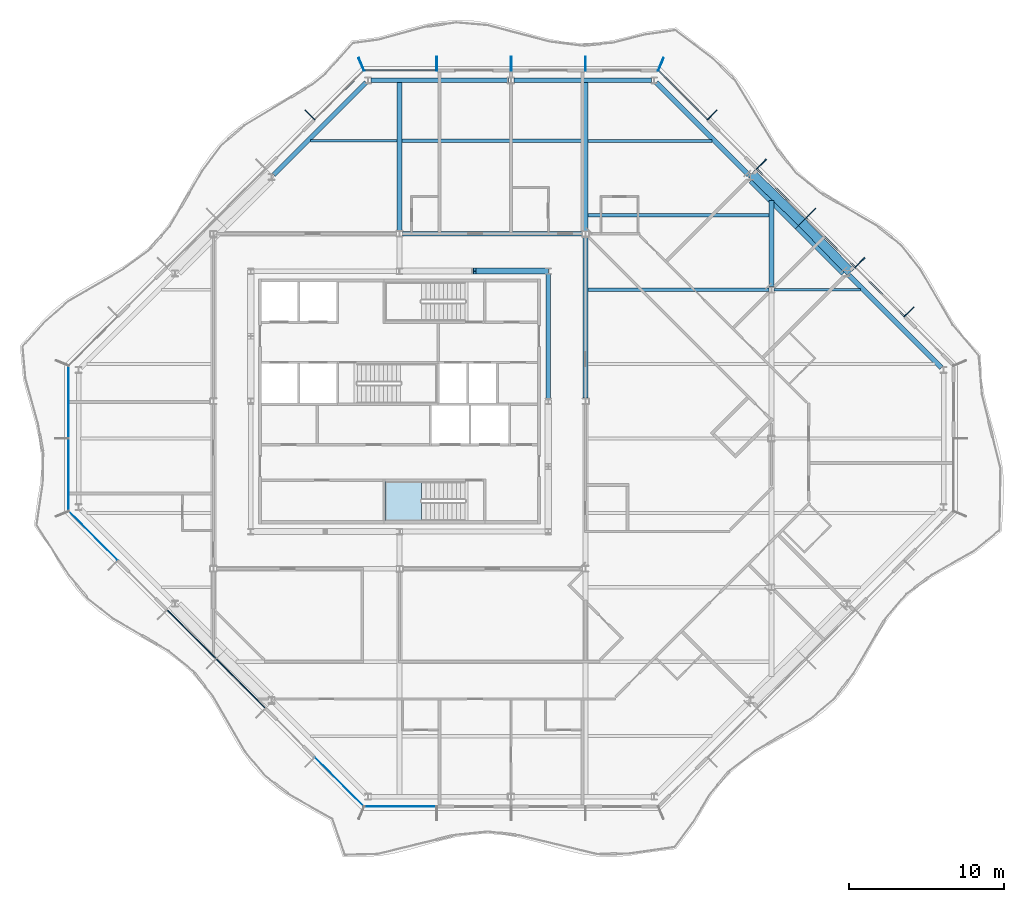
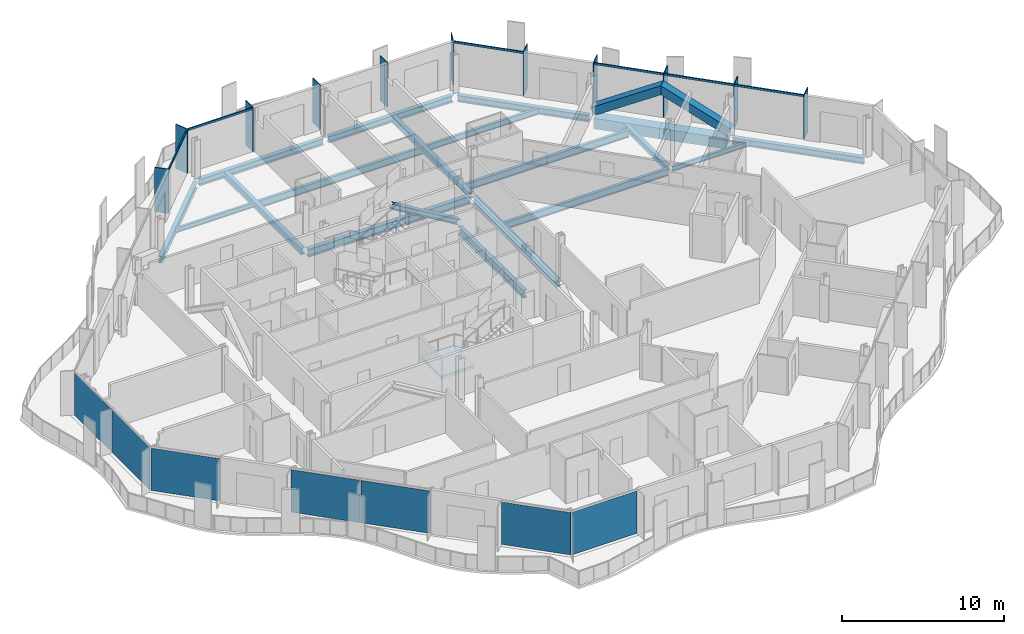
# One storey, part 5 of 17: 20 members, 19 beams, 7 plates, 1 slab, 7 elements without a shape of their own.
"""IFC4 building model written with IfcOpenShell, lengths in metres."""

from ifc_helpers import new_model, si_unit, direction, frame, origin, origin_2d, place, context, subcontext, project, spatial, polyline, rectangle, hollow_rectangle, i_section, outline, extrude, material, layer, layer_set, material_profile, profile_set, type_object, element, aggregate, save


model = new_model("IFC4")

# Units and contexts
model_context = context("Model", 3, precision=1e-05, world=origin(), true_north=direction((0.0, 1.0)))
body_context = subcontext(model_context, "Body", "Model", "MODEL_VIEW")
ifc_project = project(units=[si_unit("LENGTHUNIT", "METRE"), si_unit("AREAUNIT", "SQUARE_METRE"), si_unit("VOLUMEUNIT", "CUBIC_METRE"), si_unit("PLANEANGLEUNIT", "RADIAN"), si_unit("MASSUNIT", "GRAM", prefix="KILO")], contexts=[model_context])

# Site, building, storey
site_placement = place(None, origin())
site = spatial("IfcSite", under=ifc_project, at=site_placement, CompositionType="ELEMENT")
building_placement = place(site_placement, origin())
building = spatial("IfcBuilding", under=site, at=building_placement, Name="Cairn Pilgrim Tower", CompositionType="ELEMENT")
storey_placement = place(building_placement, frame((0.0, 0.0, 257.39990234375)))
storey = spatial("IfcBuildingStorey", under=building, at=storey_placement, Name="L66", CompositionType="ELEMENT", Elevation=257.39990234375)

# Members
ifc_material_1 = material(Name="Structural steel S460M", Category="steel")
ifc_material_profile_1 = material_profile(ifc_material_1, hollow_rectangle(XDim=0.60009765625, YDim=0.60009765625, WallThickness=0.034912109375, at=origin_2d()), Name="BOX 600x600x35")
ifc_profile_set_1 = profile_set([ifc_material_profile_1], Name="Structural steel S460M")
member_type_1 = type_object("IfcMemberType", Name="BOX 600x600x35 BRACE", PredefinedType="BRACE", material=ifc_profile_set_1)
for number, where, z_axis, x_axis, name in (
    (1, (36.194580078125, 10.813232421875, 0.150146484375), (-0.612796677006, 0.6311958305, 0.475470352608), (-0.717486704136, -0.696572199695, 0.0), "XB-NE2-NE3-1"),
    (2, (30.01318359375, 16.99462890625, 0.150146484375), (0.6311958305, -0.612796677006, 0.475470352608), (0.696572199695, 0.717486704136, 0.0), "XB-NE2-NE3-2"),
):
    element("IfcMember", number, at=place(storey_placement, frame(where, z_axis=z_axis, x_axis=x_axis)), inside=storey, type_object=member_type_1, Name=name, PredefinedType="BRACE", context=body_context, shape_type="SweptSolid", body=[
        extrude(hollow_rectangle(XDim=0.60009765625, YDim=0.60009765625, WallThickness=0.034912109375, at=origin_2d()), origin(), (0.0, 0.0, 1.0), 5.121826171875),
    ])

# Beams
ifc_material_2 = material(Name="Structural steel S355J2", Category="steel")
ifc_material_profile_2 = material_profile(ifc_material_2, hollow_rectangle(XDim=0.699951171875, YDim=0.800048828125, WallThickness=0.0400390625, at=origin_2d()), Name="BOX 700x800x40")
ifc_profile_set_2 = profile_set([ifc_material_profile_2], Name="Structural steel S355J2")
beam_type_1 = type_object("IfcBeamType", Name="BOX 700x800x40 RING GIRDER", PredefinedType="SPANDREL", material=ifc_profile_set_2)
for number, where, z_axis, x_axis, name in (
    (3, (35.947265625, 10.780029296875, -0.5498046875), (-0.707106781187, 0.707106781187, 0.0), (-0.707106781187, -0.707106781187, 0.0), "RG3-NE2-NE3-1"),
    (4, (32.963623046875, 13.763671875, -0.5498046875), (-0.707106781187, 0.707106781187, 0.0), (-0.707106781187, -0.707106781187, 0.0), "RG3-NE2-NE3-2"),
):
    element("IfcBeam", number, at=place(storey_placement, frame(where, z_axis=z_axis, x_axis=x_axis)), inside=storey, type_object=beam_type_1, Name=name, PredefinedType="SPANDREL", context=body_context, shape_type="SweptSolid", body=[
        extrude(hollow_rectangle(XDim=0.699951171875, YDim=0.800048828125, WallThickness=0.0400390625, at=origin_2d()), origin(), (0.0, 0.0, 1.0), 4.219482421875),
    ])

# Curtain wall, members
ifc_material_3 = material(Name="Aluminium alloy 6063-T6 bronze anodised with Bronze tinted laminated low-E glass 8+16+8.8", Category="aluminium")
curtain_wall_type_1 = type_object("IfcCurtainWallType", Name="CHAMFER CORNER CURTAIN WALL", PredefinedType="NOTDEFINED", material=ifc_material_3)
curtain_wall_1_placement = place(storey_placement, origin())
curtain_wall_1 = element("IfcCurtainWall", 5, at=curtain_wall_1_placement, inside=storey, type_object=curtain_wall_type_1, Name="Chamfer Corner Curtain Wall NE", PredefinedType="NOTDEFINED")
ifc_material_4 = material(Name="Aluminium alloy 6063-T6 bronze anodised", Category="aluminium")
ifc_material_profile_3 = material_profile(ifc_material_4, rectangle(XDim=0.89990234375, YDim=0.06005859375, at=origin_2d()), Name="FIN MULLION 60x900 BRONZE")
ifc_profile_set_3 = profile_set([ifc_material_profile_3], Name="Aluminium alloy 6063-T6 bronze anodised")
member_type_2 = type_object("IfcMemberType", Name="FIN MULLION 60x900 BRONZE", PredefinedType="MULLION", material=ifc_profile_set_3)
member_1_placement = place(storey_placement, frame((40.0712890625, 8.1689453125, 0.0), z_axis=(0.0, 0.0, 1.0), x_axis=(0.707106781187, 0.707106781187, 0.0)))
member_1 = element("IfcMember", 6, at=member_1_placement, type_object=member_type_2, Name="Fin mullion NE2", PredefinedType="MULLION", context=body_context, shape_type="SweptSolid", body=[
    extrude(rectangle(XDim=0.89990234375, YDim=0.06005859375, at=origin_2d()), origin(), (0.0, 0.0, 1.0), 3.35009765625),
])
member_2_placement = place(storey_placement, frame((36.895751953125, 11.3447265625, 0.0), z_axis=(0.0, 0.0, 1.0), x_axis=(0.707106781187, 0.707106781187, 0.0)))
member_2 = element("IfcMember", 7, at=member_2_placement, type_object=member_type_2, Name="Fin mullion NE3", PredefinedType="MULLION", context=body_context, shape_type="SweptSolid", body=[
    extrude(rectangle(XDim=0.89990234375, YDim=0.06005859375, at=origin_2d()), origin(), (0.0, 0.0, 1.0), 3.35009765625),
])
member_3_placement = place(storey_placement, frame((33.72021484375, 14.520263671875, 0.0), z_axis=(0.0, 0.0, 1.0), x_axis=(0.707106781187, 0.707106781187, 0.0)))
member_3 = element("IfcMember", 8, at=member_3_placement, type_object=member_type_2, Name="Fin mullion NE4", PredefinedType="MULLION", context=body_context, shape_type="SweptSolid", body=[
    extrude(rectangle(XDim=0.89990234375, YDim=0.06005859375, at=origin_2d()), origin(), (0.0, 0.0, 1.0), 3.35009765625),
])
member_4_placement = place(storey_placement, frame((30.544677734375, 17.69580078125, 0.0), z_axis=(0.0, 0.0, 1.0), x_axis=(0.707106781187, 0.707106781187, 0.0)))
member_4 = element("IfcMember", 9, at=member_4_placement, type_object=member_type_2, Name="Fin mullion NE5", PredefinedType="MULLION", context=body_context, shape_type="SweptSolid", body=[
    extrude(rectangle(XDim=0.89990234375, YDim=0.06005859375, at=origin_2d()), origin(), (0.0, 0.0, 1.0), 3.35009765625),
])
member_5_placement = place(storey_placement, frame((27.369140625, 20.871337890625, 0.0), z_axis=(0.0, 0.0, 1.0), x_axis=(0.707106781187, 0.707106781187, 0.0)))
member_5 = element("IfcMember", 10, at=member_5_placement, type_object=member_type_2, Name="Fin mullion NE6", PredefinedType="MULLION", context=body_context, shape_type="SweptSolid", body=[
    extrude(rectangle(XDim=0.89990234375, YDim=0.06005859375, at=origin_2d()), origin(), (0.0, 0.0, 1.0), 3.35009765625),
])

curtain_wall_type_2 = type_object("IfcCurtainWallType", Name="TOWER STICK CURTAIN WALL NS", PredefinedType="NOTDEFINED", material=ifc_material_3)
curtain_wall_2_placement = place(storey_placement, origin())
curtain_wall_2 = element("IfcCurtainWall", 11, at=curtain_wall_2_placement, inside=storey, type_object=curtain_wall_type_2, Name="Tower Stick Curtain Wall Ns N", PredefinedType="NOTDEFINED")
member_6_placement = place(storey_placement, frame((24.05712890625, 24.137939453125, 0.0), z_axis=(0.0, 0.0, 1.0), x_axis=(0.382683432365, 0.923879532511, 0.0)))
member_6 = element("IfcMember", 12, at=member_6_placement, type_object=member_type_2, Name="Fin mullion N1", PredefinedType="MULLION", context=body_context, shape_type="SweptSolid", body=[
    extrude(rectangle(XDim=0.89990234375, YDim=0.06005859375, at=origin_2d()), origin(), (0.0, 0.0, 1.0), 3.35009765625),
])
member_7_placement = place(storey_placement, frame((19.199951171875, 24.169921875, 0.0), z_axis=(0.0, 0.0, 1.0), x_axis=(0.0, 1.0, 0.0)))
member_7 = element("IfcMember", 13, at=member_7_placement, type_object=member_type_2, Name="Fin mullion N2", PredefinedType="MULLION", context=body_context, shape_type="SweptSolid", body=[
    extrude(rectangle(XDim=0.89990234375, YDim=0.06005859375, at=origin_2d()), origin(), (0.0, 0.0, 1.0), 3.35009765625),
])
member_8_placement = place(storey_placement, frame((14.39990234375, 24.169921875, 0.0), z_axis=(0.0, 0.0, 1.0), x_axis=(0.0, 1.0, 0.0)))
member_8 = element("IfcMember", 14, at=member_8_placement, type_object=member_type_2, Name="Fin mullion N3", PredefinedType="MULLION", context=body_context, shape_type="SweptSolid", body=[
    extrude(rectangle(XDim=0.89990234375, YDim=0.06005859375, at=origin_2d()), origin(), (0.0, 0.0, 1.0), 3.35009765625),
])
member_9_placement = place(storey_placement, frame((9.60009765625, 24.169921875, 0.0), z_axis=(0.0, 0.0, 1.0), x_axis=(0.0, 1.0, 0.0)))
member_9 = element("IfcMember", 15, at=member_9_placement, type_object=member_type_2, Name="Fin mullion N4", PredefinedType="MULLION", context=body_context, shape_type="SweptSolid", body=[
    extrude(rectangle(XDim=0.89990234375, YDim=0.06005859375, at=origin_2d()), origin(), (0.0, 0.0, 1.0), 3.35009765625),
])

curtain_wall_3_placement = place(storey_placement, origin())
curtain_wall_3 = element("IfcCurtainWall", 16, at=curtain_wall_3_placement, inside=storey, type_object=curtain_wall_type_1, Name="Chamfer Corner Curtain Wall NW", PredefinedType="NOTDEFINED")
member_10_placement = place(storey_placement, frame((4.742919921875, 24.137939453125, 0.0), z_axis=(0.0, 0.0, 1.0), x_axis=(-0.382683432365, 0.923879532511, 0.0)))
member_10 = element("IfcMember", 17, at=member_10_placement, type_object=member_type_2, Name="Fin mullion NW1", PredefinedType="MULLION", context=body_context, shape_type="SweptSolid", body=[
    extrude(rectangle(XDim=0.89990234375, YDim=0.06005859375, at=origin_2d()), origin(), (0.0, 0.0, 1.0), 3.35009765625),
])
member_11_placement = place(storey_placement, frame((1.430908203125, 20.871337890625, 0.0), z_axis=(0.0, 0.0, 1.0), x_axis=(-0.707106781187, 0.707106781187, 0.0)))
member_11 = element("IfcMember", 18, at=member_11_placement, type_object=member_type_2, Name="Fin mullion NW2", PredefinedType="MULLION", context=body_context, shape_type="SweptSolid", body=[
    extrude(rectangle(XDim=0.89990234375, YDim=0.06005859375, at=origin_2d()), origin(), (0.0, 0.0, 1.0), 3.35009765625),
])

# Member
ifc_material_profile_4 = material_profile(ifc_material_2, i_section(OverallWidth=0.39794921875, OverallDepth=0.386962890625, WebThickness=0.02099609375, FlangeThickness=0.033203125, FilletRadius=0.014892578125, at=origin_2d()), Name="HD 400x262")
ifc_profile_set_4 = profile_set([ifc_material_profile_4], Name="Structural steel S355J2")
member_type_3 = type_object("IfcMemberType", Name="HD 400x262 BRACE", PredefinedType="BRACE", material=ifc_profile_set_4)
member_12_placement = place(storey_placement, frame((16.76025390625, 10.800048828125, 0.10009765625), z_axis=(-0.859714351182, 0.0, 0.510775130926), x_axis=(0.0, -1.0, 0.0)))
element("IfcMember", 19, at=member_12_placement, inside=storey, type_object=member_type_3, Name="KB-3A", PredefinedType="BRACE", context=body_context, shape_type="SweptSolid", body=[
    extrude(i_section(OverallWidth=0.39794921875, OverallDepth=0.386962890625, WebThickness=0.02099609375, FlangeThickness=0.033203125, FilletRadius=0.014892578125, at=origin_2d()), origin(), (0.0, 0.0, 1.0), 5.48828125),
])

# Beams
ifc_material_profile_5 = material_profile(ifc_material_2, i_section(OverallWidth=0.300048828125, OverallDepth=0.39990234375, WebThickness=0.013427734375, FlangeThickness=0.02392578125, FilletRadius=0.027099609375, at=origin_2d()), Name="HEB 400")
ifc_profile_set_5 = profile_set([ifc_material_profile_5], Name="Structural steel S355J2")
beam_type_2 = type_object("IfcBeamType", Name="HEB 400 GIRDER", PredefinedType="BEAM", material=ifc_profile_set_5)
beam_1_placement = place(storey_placement, frame((31.199951171875, 9.799560546875, -0.349853515625), z_axis=(0.0, 1.0, 0.0), x_axis=(-1.0, 0.0, 0.0)))
element("IfcBeam", 20, at=beam_1_placement, inside=storey, type_object=beam_type_2, Name="PG5-4", PredefinedType="BEAM", context=body_context, shape_type="SweptSolid", body=[
    extrude(i_section(OverallWidth=0.300048828125, OverallDepth=0.39990234375, WebThickness=0.013427734375, FlangeThickness=0.02392578125, FilletRadius=0.027099609375, at=origin_2d()), origin(), (0.0, 0.0, 1.0), 5.545654296875),
])
ifc_material_profile_6 = material_profile(ifc_material_2, i_section(OverallWidth=0.300048828125, OverallDepth=0.5, WebThickness=0.014404296875, FlangeThickness=0.028076171875, FilletRadius=0.027099609375, at=origin_2d()), Name="HEB 500")
ifc_profile_set_6 = profile_set([ifc_material_profile_6], Name="Structural steel S355J2")
beam_type_3 = type_object("IfcBeamType", Name="HEB 500 GIRDER", PredefinedType="BEAM", material=ifc_profile_set_6)
for number, where, z_axis, x_axis, name in (
    (21, (7.199951171875, 13.39697265625, -0.39990234375), (0.0, 1.0, 0.0), (-1.0, 0.0, 0.0), "PG3-2"),
    (22, (19.199951171875, 13.39697265625, -0.39990234375), (0.0, 1.0, 0.0), (-1.0, 0.0, 0.0), "PG4-4"),
):
    element("IfcBeam", number, at=place(storey_placement, frame(where, z_axis=z_axis, x_axis=x_axis)), inside=storey, type_object=beam_type_3, Name=name, PredefinedType="BEAM", context=body_context, shape_type="SweptSolid", body=[
        extrude(i_section(OverallWidth=0.300048828125, OverallDepth=0.5, WebThickness=0.014404296875, FlangeThickness=0.028076171875, FilletRadius=0.027099609375, at=origin_2d()), origin(), (0.0, 0.0, 1.0), 9.5830078125),
    ])
ifc_material_profile_7 = material_profile(ifc_material_2, i_section(OverallWidth=0.300048828125, OverallDepth=0.5, WebThickness=0.014404296875, FlangeThickness=0.028076171875, FilletRadius=0.027099609375, at=origin_2d()), Name="HEB 500")
ifc_profile_set_7 = profile_set([ifc_material_profile_7], Name="Structural steel S355J2")
beam_type_4 = type_object("IfcBeamType", Name="HEB 500 RING GIRDER", PredefinedType="SPANDREL", material=ifc_profile_set_7)
for number, where, z_axis, x_axis, name in (
    (23, (42.17138671875, 4.555908203125, -0.39990234375), (-0.707106781187, 0.707106781187, 0.0), (-0.707106781187, -0.707106781187, 0.0), "RG3-NE1-NE2"),
    (24, (29.722900390625, 17.00439453125, -0.39990234375), (-0.707106781187, 0.707106781187, 0.0), (-0.707106781187, -0.707106781187, 0.0), "RG3-NE3-N1"),
):
    element("IfcBeam", number, at=place(storey_placement, frame(where, z_axis=z_axis, x_axis=x_axis)), inside=storey, type_object=beam_type_4, Name=name, PredefinedType="SPANDREL", context=body_context, shape_type="SweptSolid", body=[
        extrude(i_section(OverallWidth=0.300048828125, OverallDepth=0.5, WebThickness=0.014404296875, FlangeThickness=0.028076171875, FilletRadius=0.027099609375, at=origin_2d()), origin(), (0.0, 0.0, 1.0), 8.438720703125),
    ])
beam_2_placement = place(storey_placement, frame((23.4453125, 23.10009765625, -0.39990234375), z_axis=(-1.0, 0.0, 0.0), x_axis=(0.0, -1.0, 0.0)))
element("IfcBeam", 25, at=beam_2_placement, inside=storey, type_object=beam_type_4, Name="RG3-N1-N2", PredefinedType="SPANDREL", context=body_context, shape_type="SweptSolid", body=[
    extrude(i_section(OverallWidth=0.300048828125, OverallDepth=0.5, WebThickness=0.014404296875, FlangeThickness=0.028076171875, FilletRadius=0.027099609375, at=origin_2d()), origin(), (0.0, 0.0, 1.0), 8.863525390625),
])
beam_3_placement = place(storey_placement, frame((14.21826171875, 23.10009765625, -0.39990234375), z_axis=(-1.0, 0.0, 0.0), x_axis=(0.0, -1.0, 0.0)))
element("IfcBeam", 26, at=beam_3_placement, inside=storey, type_object=beam_type_4, Name="RG3-N2-NW1", PredefinedType="SPANDREL", context=body_context, shape_type="SweptSolid", body=[
    extrude(i_section(OverallWidth=0.300048828125, OverallDepth=0.5, WebThickness=0.014404296875, FlangeThickness=0.028076171875, FilletRadius=0.027099609375, at=origin_2d()), origin(), (0.0, 0.0, 1.0), 8.86376953125),
])
beam_4_placement = place(storey_placement, frame((5.044189453125, 22.971435546875, -0.39990234375), z_axis=(-0.707106781187, -0.707106781187, 0.0), x_axis=(0.707106781187, -0.707106781187, 0.0)))
element("IfcBeam", 27, at=beam_4_placement, inside=storey, type_object=beam_type_4, Name="RG3-NW1-NW2", PredefinedType="SPANDREL", context=body_context, shape_type="SweptSolid", body=[
    extrude(i_section(OverallWidth=0.300048828125, OverallDepth=0.5, WebThickness=0.014404296875, FlangeThickness=0.028076171875, FilletRadius=0.027099609375, at=origin_2d()), origin(), (0.0, 0.0, 1.0), 8.438720703125),
])
ifc_material_profile_8 = material_profile(ifc_material_2, i_section(OverallWidth=0.300048828125, OverallDepth=0.60009765625, WebThickness=0.015380859375, FlangeThickness=0.030029296875, FilletRadius=0.027099609375, at=origin_2d()), Name="HEB 600")
ifc_profile_set_8 = profile_set([ifc_material_profile_8], Name="Structural steel S355J2")
beam_type_5 = type_object("IfcBeamType", Name="HEB 600 CORE BEAM", PredefinedType="BEAM", material=ifc_profile_set_8)
beam_5_placement = place(storey_placement, frame((16.800048828125, 2.5791015625, -0.449951171875), z_axis=(0.0, 1.0, 0.0), x_axis=(-1.0, 0.0, 0.0)))
element("IfcBeam", 28, at=beam_5_placement, inside=storey, type_object=beam_type_5, Name="CB-4", PredefinedType="BEAM", context=body_context, shape_type="SweptSolid", body=[
    extrude(i_section(OverallWidth=0.300048828125, OverallDepth=0.60009765625, WebThickness=0.015380859375, FlangeThickness=0.030029296875, FilletRadius=0.027099609375, at=origin_2d()), origin(), (0.0, 0.0, 1.0), 8.041748046875),
])
ifc_material_profile_9 = material_profile(ifc_material_2, i_section(OverallWidth=0.300048828125, OverallDepth=0.60009765625, WebThickness=0.015380859375, FlangeThickness=0.030029296875, FilletRadius=0.027099609375, at=origin_2d()), Name="HEB 600")
ifc_profile_set_9 = profile_set([ifc_material_profile_9], Name="Structural steel S355J2")
beam_type_6 = type_object("IfcBeamType", Name="HEB 600 GIRDER", PredefinedType="BEAM", material=ifc_profile_set_9)
beam_6_placement = place(storey_placement, frame((19.199951171875, 2.596923828125, -0.449951171875), z_axis=(0.0, 1.0, 0.0), x_axis=(-1.0, 0.0, 0.0)))
element("IfcBeam", 29, at=beam_6_placement, inside=storey, type_object=beam_type_6, Name="PG4-3", PredefinedType="BEAM", context=body_context, shape_type="SweptSolid", body=[
    extrude(i_section(OverallWidth=0.300048828125, OverallDepth=0.60009765625, WebThickness=0.015380859375, FlangeThickness=0.030029296875, FilletRadius=0.027099609375, at=origin_2d()), origin(), (0.0, 0.0, 1.0), 10.406005859375),
])
ifc_material_profile_10 = material_profile(ifc_material_2, i_section(OverallWidth=0.300048828125, OverallDepth=0.60009765625, WebThickness=0.015380859375, FlangeThickness=0.030029296875, FilletRadius=0.027099609375, at=origin_2d()), Name="HEB 600")
ifc_profile_set_10 = profile_set([ifc_material_profile_10], Name="Structural steel S355J2")
beam_type_7 = type_object("IfcBeamType", Name="HEB 600 INNER GIRDER", PredefinedType="BEAM", material=ifc_profile_set_10)
beam_7_placement = place(storey_placement, frame((7.39697265625, 13.199951171875, -0.449951171875), z_axis=(1.0, 0.0, 0.0), x_axis=(0.0, 1.0, 0.0)))
element("IfcBeam", 30, at=beam_7_placement, inside=storey, type_object=beam_type_7, Name="IG2-2", PredefinedType="BEAM", context=body_context, shape_type="SweptSolid", body=[
    extrude(i_section(OverallWidth=0.300048828125, OverallDepth=0.60009765625, WebThickness=0.015380859375, FlangeThickness=0.030029296875, FilletRadius=0.027099609375, at=origin_2d()), origin(), (0.0, 0.0, 1.0), 11.60595703125),
])
ifc_material_profile_11 = material_profile(ifc_material_2, i_section(OverallWidth=0.169921875, OverallDepth=0.360107421875, WebThickness=0.008056640625, FlangeThickness=0.0126953125, FilletRadius=0.01806640625, at=origin_2d()), Name="IPE 360")
ifc_profile_set_11 = profile_set([ifc_material_profile_11], Name="Structural steel S355J2")
beam_type_8 = type_object("IfcBeamType", Name="IPE 360 SECONDARY BEAM", PredefinedType="JOIST", material=ifc_profile_set_11)
beam_8_placement = place(storey_placement, frame((31.35009765625, 9.60009765625, -0.329833984375), z_axis=(1.0, 0.0, 0.0), x_axis=(0.0, 1.0, 0.0)))
element("IfcBeam", 31, at=beam_8_placement, inside=storey, type_object=beam_type_8, Name="SB7-3", PredefinedType="JOIST", context=body_context, shape_type="SweptSolid", body=[
    extrude(i_section(OverallWidth=0.169921875, OverallDepth=0.360107421875, WebThickness=0.008056640625, FlangeThickness=0.0126953125, FilletRadius=0.01806640625, at=origin_2d()), origin(), (0.0, 0.0, 1.0), 5.594970703125),
])
beam_9_placement = place(storey_placement, frame((1.454833984375, 19.199951171875, -0.329833984375), z_axis=(1.0, 0.0, 0.0), x_axis=(0.0, 1.0, 0.0)))
element("IfcBeam", 32, at=beam_9_placement, inside=storey, type_object=beam_type_8, Name="SB9-1", PredefinedType="JOIST", context=body_context, shape_type="SweptSolid", body=[
    extrude(i_section(OverallWidth=0.169921875, OverallDepth=0.360107421875, WebThickness=0.008056640625, FlangeThickness=0.0126953125, FilletRadius=0.01806640625, at=origin_2d()), origin(), (0.0, 0.0, 1.0), 5.59521484375),
])
ifc_material_profile_12 = material_profile(ifc_material_2, i_section(OverallWidth=0.18994140625, OverallDepth=0.449951171875, WebThickness=0.009521484375, FlangeThickness=0.0146484375, FilletRadius=0.02099609375, at=origin_2d()), Name="IPE 450")
ifc_profile_set_12 = profile_set([ifc_material_profile_12], Name="Structural steel S355J2")
beam_type_9 = type_object("IfcBeamType", Name="IPE 450 SECONDARY BEAM", PredefinedType="JOIST", material=ifc_profile_set_12)
beam_10_placement = place(storey_placement, frame((19.35009765625, 19.199951171875, -0.375), z_axis=(1.0, 0.0, 0.0), x_axis=(0.0, 1.0, 0.0)))
element("IfcBeam", 33, at=beam_10_placement, inside=storey, type_object=beam_type_9, Name="SB9-3", PredefinedType="JOIST", context=body_context, shape_type="SweptSolid", body=[
    extrude(i_section(OverallWidth=0.18994140625, OverallDepth=0.449951171875, WebThickness=0.009521484375, FlangeThickness=0.0146484375, FilletRadius=0.02099609375, at=origin_2d()), origin(), (0.0, 0.0, 1.0), 7.9951171875),
])
ifc_material_profile_13 = material_profile(ifc_material_2, i_section(OverallWidth=0.2099609375, OverallDepth=0.550048828125, WebThickness=0.010986328125, FlangeThickness=0.01708984375, FilletRadius=0.02392578125, at=origin_2d()), Name="IPE 550")
ifc_profile_set_13 = profile_set([ifc_material_profile_13], Name="Structural steel S355J2")
beam_type_10 = type_object("IfcBeamType", Name="IPE 550 SECONDARY BEAM", PredefinedType="JOIST", material=ifc_profile_set_13)
for number, where, z_axis, x_axis, name in (
    (34, (19.35009765625, 9.60009765625, -0.4248046875), (1.0, 0.0, 0.0), (0.0, 1.0, 0.0), "SB7-2"),
    (35, (19.35009765625, 14.39990234375, -0.4248046875), (1.0, 0.0, 0.0), (0.0, 1.0, 0.0), "SB8-1"),
    (36, (7.35009765625, 19.199951171875, -0.4248046875), (1.0, 0.0, 0.0), (0.0, 1.0, 0.0), "SB9-2"),
):
    element("IfcBeam", number, at=place(storey_placement, frame(where, z_axis=z_axis, x_axis=x_axis)), inside=storey, type_object=beam_type_10, Name=name, PredefinedType="JOIST", context=body_context, shape_type="SweptSolid", body=[
        extrude(i_section(OverallWidth=0.2099609375, OverallDepth=0.550048828125, WebThickness=0.010986328125, FlangeThickness=0.01708984375, FilletRadius=0.02392578125, at=origin_2d()), origin(), (0.0, 0.0, 1.0), 11.699951171875),
    ])

# Member
ifc_material_profile_14 = material_profile(ifc_material_4, rectangle(XDim=0.080078125, YDim=0.14990234375, at=origin_2d()), Name="TRANSOM 80x150 BRONZE")
ifc_profile_set_14 = profile_set([ifc_material_profile_14], Name="Aluminium alloy 6063-T6 bronze anodised")
member_type_4 = type_object("IfcMemberType", Name="TRANSOM 80x150 BRONZE", PredefinedType="USERDEFINED", material=ifc_profile_set_14)
member_13_placement = place(storey_placement, frame((39.753173828125, 7.893310546875, 3.275146484375), z_axis=(-0.707106781187, 0.707106781187, 0.0), x_axis=(-0.707106781187, -0.707106781187, 0.0)))
member_13 = element("IfcMember", 37, at=member_13_placement, type_object=member_type_4, Name="Transom NE2", ObjectType="TRANSOM", PredefinedType="USERDEFINED", context=body_context, shape_type="SweptSolid", body=[
    extrude(rectangle(XDim=0.080078125, YDim=0.14990234375, at=origin_2d()), origin(), (0.0, 0.0, 1.0), 4.430908203125),
])

member_14_placement = place(storey_placement, frame((36.57763671875, 11.06884765625, 3.275146484375), z_axis=(-0.707134329907, 0.707079231393, 0.0), x_axis=(-0.707079231393, -0.707134329907, 0.0)))
member_14 = element("IfcMember", 38, at=member_14_placement, type_object=member_type_4, Name="Transom NE3", ObjectType="TRANSOM", PredefinedType="USERDEFINED", context=body_context, shape_type="SweptSolid", body=[
    extrude(rectangle(XDim=0.080078125, YDim=0.14990234375, at=origin_2d()), origin(), (0.0, 0.0, 1.0), 4.430908203125),
])

member_15_placement = place(storey_placement, frame((33.402099609375, 14.244384765625, 3.275146484375), z_axis=(-0.707106781187, 0.707106781187, 0.0), x_axis=(-0.707106781187, -0.707106781187, 0.0)))
member_15 = element("IfcMember", 39, at=member_15_placement, type_object=member_type_4, Name="Transom NE4", ObjectType="TRANSOM", PredefinedType="USERDEFINED", context=body_context, shape_type="SweptSolid", body=[
    extrude(rectangle(XDim=0.080078125, YDim=0.14990234375, at=origin_2d()), origin(), (0.0, 0.0, 1.0), 4.43115234375),
])

member_16_placement = place(storey_placement, frame((27.05078125, 20.595703125, 3.275146484375), z_axis=(-0.707106781187, 0.707106781187, 0.0), x_axis=(-0.707106781187, -0.707106781187, 0.0)))
member_16 = element("IfcMember", 40, at=member_16_placement, type_object=member_type_4, Name="Transom NE6", ObjectType="TRANSOM", PredefinedType="USERDEFINED", context=body_context, shape_type="SweptSolid", body=[
    extrude(rectangle(XDim=0.080078125, YDim=0.14990234375, at=origin_2d()), origin(), (0.0, 0.0, 1.0), 4.4208984375),
])

aggregate(curtain_wall_1, [member_1, member_2, member_3, member_4, member_5, member_13, member_14, member_15, member_16])

member_17_placement = place(storey_placement, frame((9.570068359375, 23.75, 3.275146484375), z_axis=(-1.0, 0.0, 0.0), x_axis=(0.0, -1.0, 0.0)))
member_17 = element("IfcMember", 41, at=member_17_placement, type_object=member_type_4, Name="Transom N4", ObjectType="TRANSOM", PredefinedType="USERDEFINED", context=body_context, shape_type="SweptSolid", body=[
    extrude(rectangle(XDim=0.080078125, YDim=0.14990234375, at=origin_2d()), origin(), (0.0, 0.0, 1.0), 4.62646484375),
])

aggregate(curtain_wall_2, [member_6, member_7, member_8, member_9, member_17])

member_18_placement = place(storey_placement, frame((4.875244140625, 23.7216796875, 3.275146484375), z_axis=(-0.707106781187, -0.707106781187, 0.0), x_axis=(0.707106781187, -0.707106781187, 0.0)))
member_18 = element("IfcMember", 42, at=member_18_placement, type_object=member_type_4, Name="Transom NW1", ObjectType="TRANSOM", PredefinedType="USERDEFINED", context=body_context, shape_type="SweptSolid", body=[
    extrude(rectangle(XDim=0.080078125, YDim=0.14990234375, at=origin_2d()), origin(), (0.0, 0.0, 1.0), 4.4208984375),
])

aggregate(curtain_wall_3, [member_10, member_11, member_18])

# Curtain wall, plates
curtain_wall_4_placement = place(storey_placement, origin())
curtain_wall_4 = element("IfcCurtainWall", 43, at=curtain_wall_4_placement, inside=storey, type_object=curtain_wall_type_1, Name="Chamfer Corner Curtain Wall SW", PredefinedType="NOTDEFINED")
ifc_material_5 = material(Name="Bronze anodised aluminium spandrel panel with mineral wool insulation", Category="aluminium")
ifc_layer_1 = layer(ifc_material_5, 0.06005859375)
ifc_layer_set_1 = layer_set([ifc_layer_1], Name="SPANDREL PANEL 4431x3200")
plate_type_1 = type_object("IfcPlateType", Name="SPANDREL PANEL 4431x3200", PredefinedType="CURTAIN_PANEL", material=ifc_layer_set_1)
plate_1_placement = place(storey_placement, frame((-6.2109375, -12.635498046875, 0.0), z_axis=(0.0, 0.0, 1.0), x_axis=(0.707106781187, -0.707106781187, 0.0)))
plate_1 = element("IfcPlate", 44, at=plate_1_placement, type_object=plate_type_1, Name="Spandrel Panel SW3-1", PredefinedType="CURTAIN_PANEL", context=body_context, shape_type="SweptSolid", body=[
    extrude(rectangle(XDim=4.430908203125, YDim=0.06005859375, at=origin_2d()), origin(), (0.0, 0.0, 1.0), 3.199951171875),
])
plate_2_placement = place(storey_placement, frame((-3.035400390625, -15.81103515625, 0.0), z_axis=(0.0, 0.0, 1.0), x_axis=(0.707106781187, -0.707106781187, 0.0)))
plate_2 = element("IfcPlate", 45, at=plate_2_placement, type_object=plate_type_1, Name="Spandrel Panel SW4-1", PredefinedType="CURTAIN_PANEL", context=body_context, shape_type="SweptSolid", body=[
    extrude(rectangle(XDim=4.430908203125, YDim=0.06005859375, at=origin_2d()), origin(), (0.0, 0.0, 1.0), 3.199951171875),
])

# Stair, slab
ifc_material_6 = material(Name="Concrete C32/40", Category="concrete")
stair_type = type_object("IfcStairType", Name="EXIT STAIR 1200", PredefinedType="HALF_TURN_STAIR", material=ifc_material_6)
stair_placement = place(storey_placement, origin())
stair = element("IfcStair", 46, at=stair_placement, inside=storey, type_object=stair_type, Name="L66 Exit Stair A", PredefinedType="HALF_TURN_STAIR")
ifc_layer_2 = layer(ifc_material_6, 0.199951171875)
ifc_layer_set_2 = layer_set([ifc_layer_2], Name="STAIR LANDING 200")
slab_type = type_object("IfcSlabType", Name="STAIR LANDING 200", PredefinedType="LANDING", material=ifc_layer_set_2)
slab_placement = place(storey_placement, frame((0.0, 0.0, 1.60009765625)))
slab = element("IfcSlab", 47, at=slab_placement, type_object=slab_type, Name="ST-A landing 1", PredefinedType="LANDING", context=body_context, shape_type="SweptSolid", body=[
    extrude(outline(polyline([(8.625, -2.77490234375), (6.27490234375, -2.77490234375), (6.27490234375, -5.300048828125), (8.625, -5.300048828125), (8.625, -2.77490234375)])), origin(), (0.0, 0.0, 1.0), 0.199951171875),
])
aggregate(stair, [slab])

# Plate
ifc_material_7 = material(Name="Bronze tinted laminated low-E glass 8+16+8.8", Category="glass")
ifc_layer_3 = layer(ifc_material_7, 0.033935546875)
ifc_layer_set_3 = layer_set([ifc_layer_3], Name="VISION GLAZING 4421x3200")
plate_type_2 = type_object("IfcPlateType", Name="VISION GLAZING 4421x3200", PredefinedType="CURTAIN_PANEL", material=ifc_layer_set_3)
plate_3_placement = place(storey_placement, frame((-12.55859375, -6.287841796875, 0.0), z_axis=(0.0, 0.0, 1.0), x_axis=(0.707106781187, -0.707106781187, 0.0)))
plate_3 = element("IfcPlate", 48, at=plate_3_placement, type_object=plate_type_2, Name="Vision Glazing SW1-1", PredefinedType="CURTAIN_PANEL", context=body_context, shape_type="SweptSolid", body=[
    extrude(rectangle(XDim=4.4208984375, YDim=0.033935546875, at=origin_2d()), origin(), (0.0, 0.0, 1.0), 3.199951171875),
])

plate_4_placement = place(storey_placement, frame((3.312255859375, -22.15869140625, 0.0), z_axis=(0.0, 0.0, 1.0), x_axis=(0.707106781187, -0.707106781187, 0.0)))
plate_4 = element("IfcPlate", 49, at=plate_4_placement, type_object=plate_type_2, Name="Vision Glazing SW6-1", PredefinedType="CURTAIN_PANEL", context=body_context, shape_type="SweptSolid", body=[
    extrude(rectangle(XDim=4.4208984375, YDim=0.033935546875, at=origin_2d()), origin(), (0.0, 0.0, 1.0), 3.199951171875),
])

aggregate(curtain_wall_4, [plate_3, plate_1, plate_2, plate_4])

# Curtain wall, plate
curtain_wall_5_placement = place(storey_placement, origin())
curtain_wall_5 = element("IfcCurtainWall", 50, at=curtain_wall_5_placement, inside=storey, type_object=curtain_wall_type_2, Name="Tower Stick Curtain Wall Ns S", PredefinedType="NOTDEFINED")
ifc_layer_4 = layer(ifc_material_7, 0.033935546875)
ifc_layer_set_4 = layer_set([ifc_layer_4], Name="VISION GLAZING 4626x3200")
plate_type_3 = type_object("IfcPlateType", Name="VISION GLAZING 4626x3200", PredefinedType="CURTAIN_PANEL", material=ifc_layer_set_4)
plate_5_placement = place(storey_placement, frame((7.2568359375, -23.75, 0.0), z_axis=(0.0, 0.0, 1.0), x_axis=(1.0, 0.0, 0.0)))
plate_5 = element("IfcPlate", 51, at=plate_5_placement, type_object=plate_type_3, Name="Vision Glazing S1-1", PredefinedType="CURTAIN_PANEL", context=body_context, shape_type="SweptSolid", body=[
    extrude(rectangle(XDim=4.62646484375, YDim=0.033935546875, at=origin_2d()), origin(), (0.0, 0.0, 1.0), 3.199951171875),
])
aggregate(curtain_wall_5, [plate_5])

# Curtain wall, plates
curtain_wall_type_3 = type_object("IfcCurtainWallType", Name="TOWER STICK CURTAIN WALL EW", PredefinedType="NOTDEFINED", material=ifc_material_3)
curtain_wall_6_placement = place(storey_placement, origin())
curtain_wall_6 = element("IfcCurtainWall", 52, at=curtain_wall_6_placement, inside=storey, type_object=curtain_wall_type_3, Name="Tower Stick Curtain Wall Ew W", PredefinedType="NOTDEFINED")
plate_6_placement = place(storey_placement, frame((-14.14990234375, 2.34326171875, 0.0), z_axis=(0.0, 0.0, 1.0), x_axis=(0.0, -1.0, 0.0)))
plate_6 = element("IfcPlate", 53, at=plate_6_placement, type_object=plate_type_3, Name="Vision Glazing W1-1", PredefinedType="CURTAIN_PANEL", context=body_context, shape_type="SweptSolid", body=[
    extrude(rectangle(XDim=4.62646484375, YDim=0.033935546875, at=origin_2d()), origin(), (0.0, 0.0, 1.0), 3.199951171875),
])
plate_7_placement = place(storey_placement, frame((-14.14990234375, -2.34326171875, 0.0), z_axis=(0.0, 0.0, 1.0), x_axis=(0.0, -1.0, 0.0)))
plate_7 = element("IfcPlate", 54, at=plate_7_placement, type_object=plate_type_3, Name="Vision Glazing W2-1", PredefinedType="CURTAIN_PANEL", context=body_context, shape_type="SweptSolid", body=[
    extrude(rectangle(XDim=4.62646484375, YDim=0.033935546875, at=origin_2d()), origin(), (0.0, 0.0, 1.0), 3.199951171875),
])
aggregate(curtain_wall_6, [plate_6, plate_7])

save(model, "model.ifc")
